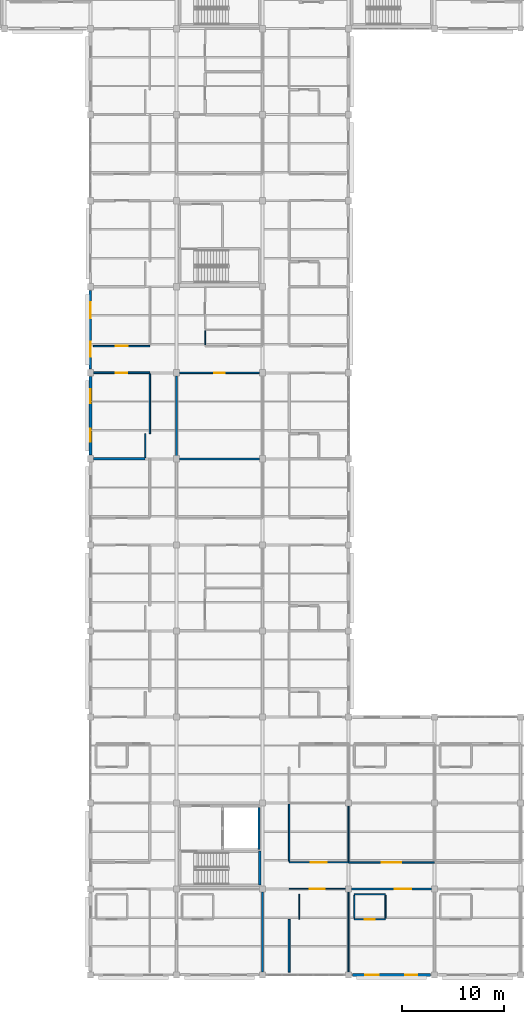
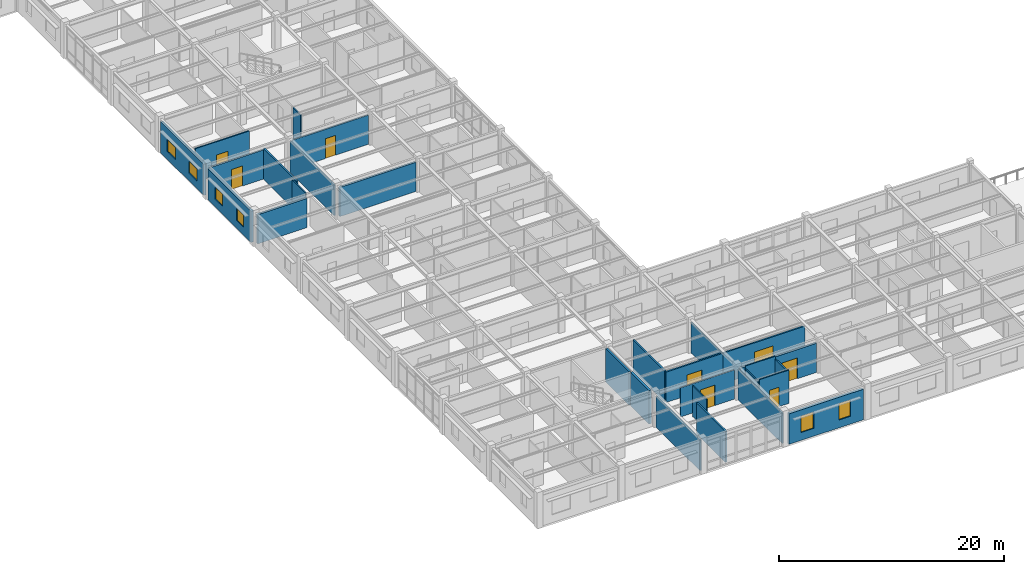
# One storey, part 45 of 70: 28 walls, 8 doors, 6 windows, 14 openings.
"""IFC4 building model written with IfcOpenShell, lengths in metres."""

from ifc_helpers import new_model, si_unit, direction, frame, frame_2d, origin, place, context, subcontext, project, spatial, rectangle, extrude, material, layer, layer_set, type_object, element, fill, save


model = new_model("IFC4")

# Units and contexts
model_context = context("Model", 3, precision=1e-05, world=origin(), true_north=direction((0.0, 1.0)))
body_context = subcontext(model_context, "Body", "Model", "MODEL_VIEW")
ifc_project = project(units=[si_unit("LENGTHUNIT", "METRE"), si_unit("AREAUNIT", "SQUARE_METRE"), si_unit("VOLUMEUNIT", "CUBIC_METRE"), si_unit("PLANEANGLEUNIT", "RADIAN"), si_unit("MASSUNIT", "GRAM", prefix="KILO")], contexts=[model_context])

# Site, building, storey
site_placement = place(None, origin())
site = spatial("IfcSite", under=ifc_project, at=site_placement, CompositionType="ELEMENT")
building_placement = place(site_placement, origin())
building = spatial("IfcBuilding", under=site, at=building_placement, Name="Bramfleet General Hospital", CompositionType="ELEMENT")
storey_placement = place(building_placement, frame((0.0, 0.0, 22.5)))
storey = spatial("IfcBuildingStorey", under=building, at=storey_placement, Name="L05", CompositionType="ELEMENT", Elevation=22.5)

# Wall, openings, windows
ifc_material_1 = material(Name="Precast concrete C40/50", Category="concrete")
ifc_layer_1 = layer(ifc_material_1, 0.264892578125, Name="WT-EW-07")
ifc_layer_set_1 = layer_set([ifc_layer_1], Name="Precast concrete C40/50")
wall_type_1 = type_object("IfcWallType", Name="WT-EW-07", PredefinedType="SOLIDWALL", material=ifc_layer_set_1)
wall_1_placement = place(storey_placement, frame((92.39990234375, 50.77490234375, 0.0), z_axis=(0.0, 0.0, 1.0), x_axis=(0.0, 1.0, 0.0)))
wall_1 = element("IfcWall", 1, at=wall_1_placement, inside=storey, type_object=wall_type_1, Name="L05 Exterior Wall 334", PredefinedType="SOLIDWALL", context=body_context, shape_type="SweptSolid", body=[
    extrude(rectangle(XDim=7.650146484375, YDim=0.264892578125, at=frame_2d((3.8251953125, 0.0))), origin(), (0.0, 0.0, 1.0), 3.3798828125),
])
opening_1_placement = place(wall_1_placement, frame((1.28759765625, 0.0, 0.85009765625)))
opening_1 = element("IfcOpeningElement", 2, at=opening_1_placement, cuts=wall_1, Name="Opening W-04", PredefinedType="OPENING", context=body_context, shape_type="SweptSolid", body=[
    extrude(rectangle(XDim=1.25, YDim=1.300048828125, at=frame_2d((0.625, 0.64990234375))), frame((0.0, 0.142333984375, 0.0), z_axis=(0.0, -1.0, 0.0), x_axis=(1.0, 0.0, 0.0)), (0.0, 0.0, 1.0), 0.284912109375),
])
opening_2_placement = place(wall_1_placement, frame((5.0625, 0.0, 0.85009765625)))
opening_2 = element("IfcOpeningElement", 3, at=opening_2_placement, cuts=wall_1, Name="Opening W-05", PredefinedType="OPENING", context=body_context, shape_type="SweptSolid", body=[
    extrude(rectangle(XDim=1.35009765625, YDim=1.300048828125, at=frame_2d((0.675048828125, 0.64990234375))), frame((0.0, 0.142333984375, 0.0), z_axis=(0.0, -1.0, 0.0), x_axis=(1.0, 0.0, 0.0)), (0.0, 0.0, 1.0), 0.284912109375),
])
ifc_material_2 = material(Name="Anodised aluminium and low-E triple glazing", Category="aluminium")
window_type_1 = type_object("IfcWindowType", Name="WIN-W-04", PartitioningType="SINGLE_PANEL", PredefinedType="WINDOW", material=ifc_material_2)
window_1_placement = place(opening_1_placement, origin())
window_1 = element("IfcWindow", 4, at=window_1_placement, inside=storey, type_object=window_type_1, Name="L05 Facade Window WIN-L05-334-1", OverallHeight=1.300048828125, OverallWidth=1.25, PartitioningType="SINGLE_PANEL", PredefinedType="WINDOW", context=body_context, shape_type="SweptSolid", body=[
    extrude(rectangle(XDim=1.25, YDim=1.300048828125, at=frame_2d((0.625, 0.64990234375))), frame((0.0, 0.030029296875, 0.0), z_axis=(0.0, -1.0, 0.0), x_axis=(1.0, 0.0, 0.0)), (0.0, 0.0, 1.0), 0.06005859375),
])
fill(opening_1, window_1)
window_type_2 = type_object("IfcWindowType", Name="WIN-W-05", PartitioningType="SINGLE_PANEL", PredefinedType="WINDOW", material=ifc_material_2)
window_2_placement = place(opening_2_placement, origin())
window_2 = element("IfcWindow", 5, at=window_2_placement, inside=storey, type_object=window_type_2, Name="L05 Facade Window WIN-L05-334-2", OverallHeight=1.300048828125, OverallWidth=1.35009765625, PartitioningType="SINGLE_PANEL", PredefinedType="WINDOW", context=body_context, shape_type="SweptSolid", body=[
    extrude(rectangle(XDim=1.35009765625, YDim=1.300048828125, at=frame_2d((0.675048828125, 0.64990234375))), frame((0.0, 0.030029296875, 0.0), z_axis=(0.0, -1.0, 0.0), x_axis=(1.0, 0.0, 0.0)), (0.0, 0.0, 1.0), 0.06005859375),
])
fill(opening_2, window_2)

wall_2_placement = place(storey_placement, frame((125.625, 0.0, 0.0), z_axis=(0.0, 0.0, 1.0), x_axis=(-1.0, 0.0, 0.0)))
wall_2 = element("IfcWall", 6, at=wall_2_placement, inside=storey, type_object=wall_type_1, Name="L05 Exterior Wall 376", PredefinedType="SOLIDWALL", context=body_context, shape_type="SweptSolid", body=[
    extrude(rectangle(XDim=7.64990234375, YDim=0.264892578125, at=frame_2d((3.824951171875, 0.0))), origin(), (0.0, 0.0, 1.0), 3.31005859375),
])
opening_3_placement = place(wall_2_placement, frame((1.33740234375, 0.0, 0.85009765625)))
opening_3 = element("IfcOpeningElement", 7, at=opening_3_placement, cuts=wall_2, Name="Opening W-41", PredefinedType="OPENING", context=body_context, shape_type="SweptSolid", body=[
    extrude(rectangle(XDim=1.14990234375, YDim=1.780029296875, at=frame_2d((0.574951171875, 0.89013671875))), frame((0.0, 0.142333984375, 0.0), z_axis=(0.0, -1.0, 0.0), x_axis=(1.0, 0.0, 0.0)), (0.0, 0.0, 1.0), 0.284912109375),
])
opening_4_placement = place(wall_2_placement, frame((5.08740234375, 0.0, 0.85009765625)))
opening_4 = element("IfcOpeningElement", 8, at=opening_4_placement, cuts=wall_2, Name="Opening W-42", PredefinedType="OPENING", context=body_context, shape_type="SweptSolid", body=[
    extrude(rectangle(XDim=1.300048828125, YDim=1.780029296875, at=frame_2d((0.64990234375, 0.89013671875))), frame((0.0, 0.142333984375, 0.0), z_axis=(0.0, -1.0, 0.0), x_axis=(1.0, 0.0, 0.0)), (0.0, 0.0, 1.0), 0.284912109375),
])
window_type_3 = type_object("IfcWindowType", Name="WIN-W-41", PartitioningType="SINGLE_PANEL", PredefinedType="WINDOW", material=ifc_material_2)
window_3_placement = place(opening_3_placement, origin())
window_3 = element("IfcWindow", 9, at=window_3_placement, inside=storey, type_object=window_type_3, Name="L05 Facade Window WIN-L05-376-1", OverallHeight=1.780029296875, OverallWidth=1.14990234375, PartitioningType="SINGLE_PANEL", PredefinedType="WINDOW", context=body_context, shape_type="SweptSolid", body=[
    extrude(rectangle(XDim=1.14990234375, YDim=1.780029296875, at=frame_2d((0.574951171875, 0.89013671875))), frame((0.0, 0.030029296875, 0.0), z_axis=(0.0, -1.0, 0.0), x_axis=(1.0, 0.0, 0.0)), (0.0, 0.0, 1.0), 0.06005859375),
])
fill(opening_3, window_3)
window_type_4 = type_object("IfcWindowType", Name="WIN-W-42", PartitioningType="SINGLE_PANEL", PredefinedType="WINDOW", material=ifc_material_2)
window_4_placement = place(opening_4_placement, origin())
window_4 = element("IfcWindow", 10, at=window_4_placement, inside=storey, type_object=window_type_4, Name="L05 Facade Window WIN-L05-376-2", OverallHeight=1.780029296875, OverallWidth=1.300048828125, PartitioningType="SINGLE_PANEL", PredefinedType="WINDOW", context=body_context, shape_type="SweptSolid", body=[
    extrude(rectangle(XDim=1.300048828125, YDim=1.780029296875, at=frame_2d((0.64990234375, 0.89013671875))), frame((0.0, 0.030029296875, 0.0), z_axis=(0.0, -1.0, 0.0), x_axis=(1.0, 0.0, 0.0)), (0.0, 0.0, 1.0), 0.06005859375),
])
fill(opening_4, window_4)

ifc_layer_2 = layer(ifc_material_1, 0.25, Name="WT-EW-08")
ifc_layer_set_2 = layer_set([ifc_layer_2], Name="Precast concrete C40/50")
wall_type_2 = type_object("IfcWallType", Name="WT-EW-08", PredefinedType="SOLIDWALL", material=ifc_layer_set_2)
wall_3_placement = place(storey_placement, frame((92.39990234375, 59.175048828125, 0.0), z_axis=(0.0, 0.0, 1.0), x_axis=(0.0, 1.0, 0.0)))
wall_3 = element("IfcWall", 11, at=wall_3_placement, inside=storey, type_object=wall_type_2, Name="L05 Exterior Wall 335", PredefinedType="SOLIDWALL", context=body_context, shape_type="SweptSolid", body=[
    extrude(rectangle(XDim=7.64990234375, YDim=0.25, at=frame_2d((3.824951171875, 0.0))), origin(), (0.0, 0.0, 1.0), 3.3798828125),
])
opening_5_placement = place(wall_3_placement, frame((1.1875, 0.0, 0.85009765625)))
opening_5 = element("IfcOpeningElement", 12, at=opening_5_placement, cuts=wall_3, Name="Opening W-06", PredefinedType="OPENING", context=body_context, shape_type="SweptSolid", body=[
    extrude(rectangle(XDim=1.449951171875, YDim=1.300048828125, at=frame_2d((0.72509765625, 0.64990234375))), frame((0.0, 0.135009765625, 0.0), z_axis=(0.0, -1.0, 0.0), x_axis=(1.0, 0.0, 0.0)), (0.0, 0.0, 1.0), 0.27001953125),
])
opening_6_placement = place(wall_3_placement, frame((4.96240234375, 0.0, 0.85009765625)))
opening_6 = element("IfcOpeningElement", 13, at=opening_6_placement, cuts=wall_3, Name="Opening W-07", PredefinedType="OPENING", context=body_context, shape_type="SweptSolid", body=[
    extrude(rectangle(XDim=1.550048828125, YDim=1.300048828125, at=frame_2d((0.77490234375, 0.64990234375))), frame((0.0, 0.135009765625, 0.0), z_axis=(0.0, -1.0, 0.0), x_axis=(1.0, 0.0, 0.0)), (0.0, 0.0, 1.0), 0.27001953125),
])
window_type_5 = type_object("IfcWindowType", Name="WIN-W-06", PartitioningType="SINGLE_PANEL", PredefinedType="WINDOW", material=ifc_material_2)
window_5_placement = place(opening_5_placement, origin())
window_5 = element("IfcWindow", 14, at=window_5_placement, inside=storey, type_object=window_type_5, Name="L05 Facade Window WIN-L05-335-1", OverallHeight=1.300048828125, OverallWidth=1.449951171875, PartitioningType="SINGLE_PANEL", PredefinedType="WINDOW", context=body_context, shape_type="SweptSolid", body=[
    extrude(rectangle(XDim=1.449951171875, YDim=1.300048828125, at=frame_2d((0.72509765625, 0.64990234375))), frame((0.0, 0.030029296875, 0.0), z_axis=(0.0, -1.0, 0.0), x_axis=(1.0, 0.0, 0.0)), (0.0, 0.0, 1.0), 0.06005859375),
])
fill(opening_5, window_5)
window_type_6 = type_object("IfcWindowType", Name="WIN-W-07", PartitioningType="SINGLE_PANEL", PredefinedType="WINDOW", material=ifc_material_2)
window_6_placement = place(opening_6_placement, origin())
window_6 = element("IfcWindow", 15, at=window_6_placement, inside=storey, type_object=window_type_6, Name="L05 Facade Window WIN-L05-335-2", OverallHeight=1.300048828125, OverallWidth=1.550048828125, PartitioningType="SINGLE_PANEL", PredefinedType="WINDOW", context=body_context, shape_type="SweptSolid", body=[
    extrude(rectangle(XDim=1.550048828125, YDim=1.300048828125, at=frame_2d((0.77490234375, 0.64990234375))), frame((0.0, 0.030029296875, 0.0), z_axis=(0.0, -1.0, 0.0), x_axis=(1.0, 0.0, 0.0)), (0.0, 0.0, 1.0), 0.06005859375),
])
fill(opening_6, window_6)

# Wall, opening, door
ifc_material_3 = material(Name="Concrete C35/45", Category="concrete")
ifc_layer_3 = layer(ifc_material_3, 0.219970703125, Name="WT-IW-01")
ifc_layer_set_3 = layer_set([ifc_layer_3], Name="Concrete C35/45")
wall_type_3 = type_object("IfcWallType", Name="WT-IW-01", PredefinedType="PARTITIONING", material=ifc_layer_set_3)
wall_4_placement = place(storey_placement, frame((117.89501953125, 8.39990234375, 0.0), z_axis=(0.0, 0.0, 1.0), x_axis=(1.0, 0.0, 0.0)))
wall_4 = element("IfcWall", 16, at=wall_4_placement, inside=storey, type_object=wall_type_3, Name="L05 Interior Partition IW-L05-3505", PredefinedType="PARTITIONING", context=body_context, shape_type="SweptSolid", body=[
    extrude(rectangle(XDim=7.81005859375, YDim=0.219970703125, at=frame_2d((3.905029296875, 0.0))), origin(), (0.0, 0.0, 1.0), 3.159912109375),
])
opening_7_placement = place(wall_4_placement, frame((4.240478515625, 0.0, 0.0)))
opening_7 = element("IfcOpeningElement", 17, at=opening_7_placement, cuts=wall_4, Name="Opening D1412", PredefinedType="OPENING", context=body_context, shape_type="SweptSolid", body=[
    extrude(rectangle(XDim=1.60009765625, YDim=2.25, at=frame_2d((0.800048828125, 1.125))), frame((0.0, 0.119873046875, 0.0), z_axis=(0.0, -1.0, 0.0), x_axis=(1.0, 0.0, 0.0)), (0.0, 0.0, 1.0), 0.239990234375),
])
ifc_material_4 = material(Name="Stainless steel and acoustic timber leaf", Category="steel")
door_type_1 = type_object("IfcDoorType", Name="DR-D-04", OperationType="NOTDEFINED", PredefinedType="DOOR", material=ifc_material_4)
door_1_placement = place(opening_7_placement, origin())
door_1 = element("IfcDoor", 18, at=door_1_placement, inside=storey, type_object=door_type_1, Name="Medical and Cardiology Ward Bedroom L05-1400 Door D1412", OperationType="DOUBLE_SWING_LEFT", OverallHeight=2.25, OverallWidth=1.60009765625, PredefinedType="DOOR", context=body_context, shape_type="SweptSolid", body=[
    extrude(rectangle(XDim=1.60009765625, YDim=2.25, at=frame_2d((0.800048828125, 1.125))), frame((0.0, 0.02490234375, 0.0), z_axis=(0.0, -1.0, 0.0), x_axis=(1.0, 0.0, 0.0)), (0.0, 0.0, 1.0), 0.050048828125),
])
fill(opening_7, door_1)

# Walls
wall_5_placement = place(storey_placement, frame((92.695068359375, 50.39990234375, 0.0), z_axis=(0.0, 0.0, 1.0), x_axis=(1.0, 0.0, 0.0)))
element("IfcWall", 19, at=wall_5_placement, inside=storey, type_object=wall_type_3, Name="L05 Interior Partition IW-L05-3553", PredefinedType="PARTITIONING", context=body_context, shape_type="SweptSolid", body=[
    extrude(rectangle(XDim=5.054931640625, YDim=0.219970703125, at=frame_2d((2.52734375, 0.0))), origin(), (0.0, 0.0, 1.0), 3.159912109375),
])
ifc_layer_4 = layer(ifc_material_3, 0.205078125, Name="WT-IW-02")
ifc_layer_set_4 = layer_set([ifc_layer_4], Name="Concrete C35/45")
wall_type_4 = type_object("IfcWallType", Name="WT-IW-02", PredefinedType="PARTITIONING", material=ifc_layer_set_4)
wall_6_placement = place(storey_placement, frame((108.85009765625, 12.239990234375, 0.0), z_axis=(0.0, 0.0, 1.0), x_axis=(0.0, 1.0, 0.0)))
element("IfcWall", 20, at=wall_6_placement, inside=storey, type_object=wall_type_4, Name="L05 C3 Lift Shaft East Wall", PredefinedType="PARTITIONING", context=body_context, shape_type="SweptSolid", body=[
    extrude(rectangle(XDim=4.1201171875, YDim=0.205078125, at=frame_2d((2.06005859375, 0.0))), origin(), (0.0, 0.0, 1.0), 3.610107421875),
])
wall_7_placement = place(storey_placement, frame((101.094970703125, 50.39990234375, 0.0), z_axis=(0.0, 0.0, 1.0), x_axis=(1.0, 0.0, 0.0)))
element("IfcWall", 21, at=wall_7_placement, inside=storey, type_object=wall_type_4, Name="L05 Interior Partition IW-L05-3554", PredefinedType="PARTITIONING", context=body_context, shape_type="SweptSolid", body=[
    extrude(rectangle(XDim=7.81005859375, YDim=0.205078125, at=frame_2d((3.905029296875, 0.0))), origin(), (0.0, 0.0, 1.0), 3.159912109375),
])
ifc_layer_5 = layer(ifc_material_3, 0.179931640625, Name="WT-IW-04")
ifc_layer_set_5 = layer_set([ifc_layer_5], Name="Concrete C35/45")
wall_type_5 = type_object("IfcWallType", Name="WT-IW-04", PredefinedType="PARTITIONING", material=ifc_layer_set_5)
wall_8_placement = place(storey_placement, frame((109.199951171875, 0.294921875, 0.0), z_axis=(0.0, 0.0, 1.0), x_axis=(0.0, 1.0, 0.0)))
element("IfcWall", 22, at=wall_8_placement, inside=storey, type_object=wall_type_5, Name="L05 Interior Partition IW-L05-3736", PredefinedType="PARTITIONING", context=body_context, shape_type="SweptSolid", body=[
    extrude(rectangle(XDim=7.81005859375, YDim=0.179931640625, at=frame_2d((3.905029296875, 0.0))), origin(), (0.0, 0.0, 1.0), 3.300048828125),
])
wall_9_placement = place(storey_placement, frame((111.800048828125, 0.280029296875, 0.0), z_axis=(0.0, 0.0, 1.0), x_axis=(0.0, 1.0, 0.0)))
element("IfcWall", 23, at=wall_9_placement, inside=storey, type_object=wall_type_5, Name="L05 Interior Partition IW-L05-3748", PredefinedType="PARTITIONING", context=body_context, shape_type="SweptSolid", body=[
    extrude(rectangle(XDim=5.14990234375, YDim=0.179931640625, at=frame_2d((2.574951171875, 0.0))), origin(), (0.0, 0.0, 1.0), 3.340087890625),
])
ifc_material_5 = material(Name="Gypsum plasterboard on acoustic steel studs", Category="steel")
ifc_layer_6 = layer(ifc_material_5, 0.169921875, Name="WT-IW-05")
ifc_layer_set_6 = layer_set([ifc_layer_6], Name="Gypsum plasterboard on acoustic steel studs")
wall_type_6 = type_object("IfcWallType", Name="WT-IW-05", PredefinedType="PARTITIONING", material=ifc_layer_set_6)
wall_10_placement = place(storey_placement, frame((100.800048828125, 50.695068359375, 0.0), z_axis=(0.0, 0.0, 1.0), x_axis=(0.0, 1.0, 0.0)))
element("IfcWall", 24, at=wall_10_placement, inside=storey, type_object=wall_type_6, Name="L05 Interior Partition IW-L05-3725", PredefinedType="PARTITIONING", context=body_context, shape_type="SweptSolid", body=[
    extrude(rectangle(XDim=7.809814453125, YDim=0.169921875, at=frame_2d((3.90478515625, 0.0))), origin(), (0.0, 0.0, 1.0), 3.300048828125),
])
wall_11_placement = place(storey_placement, frame((111.800048828125, 11.114990234375, 0.0), z_axis=(0.0, 0.0, 1.0), x_axis=(0.0, 1.0, 0.0)))
element("IfcWall", 25, at=wall_11_placement, inside=storey, type_object=wall_type_6, Name="L05 Interior Partition IW-L05-3749", PredefinedType="PARTITIONING", context=body_context, shape_type="SweptSolid", body=[
    extrude(rectangle(XDim=5.570068359375, YDim=0.169921875, at=frame_2d((2.78515625, 0.0))), origin(), (0.0, 0.0, 1.0), 3.340087890625),
])

# Wall, opening, door
ifc_layer_7 = layer(ifc_material_5, 0.159912109375, Name="WT-IW-06")
ifc_layer_set_7 = layer_set([ifc_layer_7], Name="Gypsum plasterboard on acoustic steel studs")
wall_type_7 = type_object("IfcWallType", Name="WT-IW-06", PredefinedType="PARTITIONING", material=ifc_layer_set_7)
wall_12_placement = place(storey_placement, frame((111.800048828125, 11.0, 0.0), z_axis=(0.0, 0.0, 1.0), x_axis=(1.0, 0.0, 0.0)))
wall_12 = element("IfcWall", 26, at=wall_12_placement, inside=storey, type_object=wall_type_7, Name="L05 Interior Partition IW-L05-3510", PredefinedType="PARTITIONING", context=body_context, shape_type="SweptSolid", body=[
    extrude(rectangle(XDim=5.800048828125, YDim=0.159912109375, at=frame_2d((2.89990234375, 0.0))), origin(), (0.0, 0.0, 1.0), 3.300048828125),
])
opening_8_placement = place(wall_12_placement, frame((2.1298828125, 0.0, 0.0)))
opening_8 = element("IfcOpeningElement", 27, at=opening_8_placement, cuts=wall_12, Name="Opening D1393", PredefinedType="OPENING", context=body_context, shape_type="SweptSolid", body=[
    extrude(rectangle(XDim=1.5400390625, YDim=2.239990234375, at=frame_2d((0.77001953125, 1.1201171875))), frame((0.0, 0.08984375, 0.0), z_axis=(0.0, -1.0, 0.0), x_axis=(1.0, 0.0, 0.0)), (0.0, 0.0, 1.0), 0.179931640625),
])
door_type_2 = type_object("IfcDoorType", Name="DR-D-17", OperationType="NOTDEFINED", PredefinedType="DOOR", material=ifc_material_4)
door_2_placement = place(opening_8_placement, origin())
door_2 = element("IfcDoor", 28, at=door_2_placement, inside=storey, type_object=door_type_2, Name="Patient Dayroom and Garden Lounge L05-1301 Door D1393", OperationType="SINGLE_SWING_RIGHT", OverallHeight=2.239990234375, OverallWidth=1.5400390625, PredefinedType="DOOR", context=body_context, shape_type="SweptSolid", body=[
    extrude(rectangle(XDim=1.5400390625, YDim=2.239990234375, at=frame_2d((0.77001953125, 1.1201171875))), frame((0.0, 0.02490234375, 0.0), z_axis=(0.0, -1.0, 0.0), x_axis=(1.0, 0.0, 0.0)), (0.0, 0.0, 1.0), 0.050048828125),
])
fill(opening_8, door_2)

wall_13_placement = place(storey_placement, frame((92.695068359375, 58.800048828125, 0.0), z_axis=(0.0, 0.0, 1.0), x_axis=(1.0, 0.0, 0.0)))
wall_13 = element("IfcWall", 29, at=wall_13_placement, inside=storey, type_object=wall_type_7, Name="L05 Interior Partition IW-L05-3558", PredefinedType="PARTITIONING", context=body_context, shape_type="SweptSolid", body=[
    extrude(rectangle(XDim=5.5048828125, YDim=0.159912109375, at=frame_2d((2.75244140625, 0.0))), origin(), (0.0, 0.0, 1.0), 3.159912109375),
])
opening_9_placement = place(wall_13_placement, frame((2.1923828125, 0.0, 0.0)))
opening_9 = element("IfcOpeningElement", 30, at=opening_9_placement, cuts=wall_13, Name="Opening D1371", PredefinedType="OPENING", context=body_context, shape_type="SweptSolid", body=[
    extrude(rectangle(XDim=1.1201171875, YDim=2.179931640625, at=frame_2d((0.56005859375, 1.08984375))), frame((0.0, 0.08984375, 0.0), z_axis=(0.0, -1.0, 0.0), x_axis=(1.0, 0.0, 0.0)), (0.0, 0.0, 1.0), 0.179931640625),
])
door_type_3 = type_object("IfcDoorType", Name="DR-D-27", OperationType="NOTDEFINED", PredefinedType="DOOR", material=ifc_material_4)
door_3_placement = place(opening_9_placement, origin())
door_3 = element("IfcDoor", 31, at=door_3_placement, inside=storey, type_object=door_type_3, Name="Medical and Cardiology Ward Bedroom L05-1106 Door D1371", OperationType="SINGLE_SWING_RIGHT", OverallHeight=2.179931640625, OverallWidth=1.1201171875, PredefinedType="DOOR", context=body_context, shape_type="SweptSolid", body=[
    extrude(rectangle(XDim=1.1201171875, YDim=2.179931640625, at=frame_2d((0.56005859375, 1.08984375))), frame((0.0, 0.02490234375, 0.0), z_axis=(0.0, -1.0, 0.0), x_axis=(1.0, 0.0, 0.0)), (0.0, 0.0, 1.0), 0.050048828125),
])
fill(opening_9, door_3)

# Wall
wall_14_placement = place(storey_placement, frame((98.199951171875, 52.85009765625, 0.0), z_axis=(0.0, 0.0, 1.0), x_axis=(0.0, 1.0, 0.0)))
element("IfcWall", 32, at=wall_14_placement, inside=storey, type_object=wall_type_7, Name="L05 Interior Partition IW-L05-3714", PredefinedType="PARTITIONING", context=body_context, shape_type="SweptSolid", body=[
    extrude(rectangle(XDim=5.8349609375, YDim=0.159912109375, at=frame_2d((2.91748046875, 0.0))), origin(), (0.0, 0.0, 1.0), 3.340087890625),
])

# Wall, opening, door
ifc_layer_8 = layer(ifc_material_5, 0.14990234375, Name="WT-IW-07")
ifc_layer_set_8 = layer_set([ifc_layer_8], Name="Gypsum plasterboard on acoustic steel studs")
wall_type_8 = type_object("IfcWallType", Name="WT-IW-07", PredefinedType="PARTITIONING", material=ifc_layer_set_8)
wall_15_placement = place(storey_placement, frame((117.60009765625, 11.0, 0.0), z_axis=(0.0, 0.0, 1.0), x_axis=(1.0, 0.0, 0.0)))
wall_15 = element("IfcWall", 33, at=wall_15_placement, inside=storey, type_object=wall_type_8, Name="L05 Interior Partition IW-L05-3511", PredefinedType="PARTITIONING", context=body_context, shape_type="SweptSolid", body=[
    extrude(rectangle(XDim=8.39990234375, YDim=0.14990234375, at=frame_2d((4.199951171875, 0.0))), origin(), (0.0, 0.0, 1.0), 3.300048828125),
])
opening_10_placement = place(wall_15_placement, frame((3.25, 0.0, 0.0)))
opening_10 = element("IfcOpeningElement", 34, at=opening_10_placement, cuts=wall_15, Name="Opening D1414", PredefinedType="OPENING", context=body_context, shape_type="SweptSolid", body=[
    extrude(rectangle(XDim=1.89990234375, YDim=2.300048828125, at=frame_2d((0.949951171875, 1.14990234375))), frame((0.0, 0.0849609375, 0.0), z_axis=(0.0, -1.0, 0.0), x_axis=(1.0, 0.0, 0.0)), (0.0, 0.0, 1.0), 0.169921875),
])
door_type_4 = type_object("IfcDoorType", Name="DR-D-06", OperationType="NOTDEFINED", PredefinedType="DOOR", material=ifc_material_4)
door_4_placement = place(opening_10_placement, origin())
door_4 = element("IfcDoor", 35, at=door_4_placement, inside=storey, type_object=door_type_4, Name="Ward Linen and Clean Utility L05-1401 Door D1414", OperationType="DOUBLE_SWING_LEFT", OverallHeight=2.300048828125, OverallWidth=1.89990234375, PredefinedType="DOOR", context=body_context, shape_type="SweptSolid", body=[
    extrude(rectangle(XDim=1.89990234375, YDim=2.300048828125, at=frame_2d((0.949951171875, 1.14990234375))), frame((0.0, 0.02490234375, 0.0), z_axis=(0.0, -1.0, 0.0), x_axis=(1.0, 0.0, 0.0)), (0.0, 0.0, 1.0), 0.050048828125),
])
fill(opening_10, door_4)

wall_16_placement = place(storey_placement, frame((101.094970703125, 58.800048828125, 0.0), z_axis=(0.0, 0.0, 1.0), x_axis=(1.0, 0.0, 0.0)))
wall_16 = element("IfcWall", 36, at=wall_16_placement, inside=storey, type_object=wall_type_8, Name="L05 Interior Partition IW-L05-3559", PredefinedType="PARTITIONING", context=body_context, shape_type="SweptSolid", body=[
    extrude(rectangle(XDim=7.81005859375, YDim=0.14990234375, at=frame_2d((3.905029296875, 0.0))), origin(), (0.0, 0.0, 1.0), 3.159912109375),
])
opening_11_placement = place(wall_16_placement, frame((3.3798828125, 0.0, 0.0)))
opening_11 = element("IfcOpeningElement", 37, at=opening_11_placement, cuts=wall_16, Name="Opening D1385", PredefinedType="OPENING", context=body_context, shape_type="SweptSolid", body=[
    extrude(rectangle(XDim=1.050048828125, YDim=2.14990234375, at=frame_2d((0.52490234375, 1.074951171875))), frame((0.0, 0.0849609375, 0.0), z_axis=(0.0, -1.0, 0.0), x_axis=(1.0, 0.0, 0.0)), (0.0, 0.0, 1.0), 0.169921875),
])
door_type_5 = type_object("IfcDoorType", Name="DR-D-09", OperationType="NOTDEFINED", PredefinedType="DOOR", material=ifc_material_4)
door_5_placement = place(opening_11_placement, origin())
door_5 = element("IfcDoor", 38, at=door_5_placement, inside=storey, type_object=door_type_5, Name="Medical and Cardiology Ward Nurse Station L05-1206 Door D1385", OperationType="SINGLE_SWING_RIGHT", OverallHeight=2.14990234375, OverallWidth=1.050048828125, PredefinedType="DOOR", context=body_context, shape_type="SweptSolid", body=[
    extrude(rectangle(XDim=1.050048828125, YDim=2.14990234375, at=frame_2d((0.52490234375, 1.074951171875))), frame((0.0, 0.02490234375, 0.0), z_axis=(0.0, -1.0, 0.0), x_axis=(1.0, 0.0, 0.0)), (0.0, 0.0, 1.0), 0.050048828125),
])
fill(opening_11, door_5)

ifc_layer_9 = layer(ifc_material_5, 0.1298828125, Name="WT-IW-09")
ifc_layer_set_9 = layer_set([ifc_layer_9], Name="Gypsum plasterboard on acoustic steel studs")
wall_type_9 = type_object("IfcWallType", Name="WT-IW-09", PredefinedType="PARTITIONING", material=ifc_layer_set_9)
wall_17_placement = place(storey_placement, frame((92.679931640625, 61.39990234375, 0.0), z_axis=(0.0, 0.0, 1.0), x_axis=(1.0, 0.0, 0.0)))
wall_17 = element("IfcWall", 39, at=wall_17_placement, inside=storey, type_object=wall_type_9, Name="L05 Interior Partition IW-L05-3561", PredefinedType="PARTITIONING", context=body_context, shape_type="SweptSolid", body=[
    extrude(rectangle(XDim=5.52001953125, YDim=0.1298828125, at=frame_2d((2.760009765625, 0.0))), origin(), (0.0, 0.0, 1.0), 3.610107421875),
])
opening_12_placement = place(wall_17_placement, frame((2.169921875, 0.0, 0.0)))
opening_12 = element("IfcOpeningElement", 40, at=opening_12_placement, cuts=wall_17, Name="Opening D1372", PredefinedType="OPENING", context=body_context, shape_type="SweptSolid", body=[
    extrude(rectangle(XDim=1.179931640625, YDim=2.179931640625, at=frame_2d((0.58984375, 1.08984375))), frame((0.0, 0.074951171875, 0.0), z_axis=(0.0, -1.0, 0.0), x_axis=(1.0, 0.0, 0.0)), (0.0, 0.0, 1.0), 0.14990234375),
])
door_type_6 = type_object("IfcDoorType", Name="DR-D-28", OperationType="NOTDEFINED", PredefinedType="DOOR", material=ifc_material_4)
door_6_placement = place(opening_12_placement, origin())
door_6 = element("IfcDoor", 41, at=door_6_placement, inside=storey, type_object=door_type_6, Name="Medical and Cardiology Ward Bedroom L05-1107 Door D1372", OperationType="SINGLE_SWING_LEFT", OverallHeight=2.179931640625, OverallWidth=1.179931640625, PredefinedType="DOOR", context=body_context, shape_type="SweptSolid", body=[
    extrude(rectangle(XDim=1.179931640625, YDim=2.179931640625, at=frame_2d((0.58984375, 1.08984375))), frame((0.0, 0.02490234375, 0.0), z_axis=(0.0, -1.0, 0.0), x_axis=(1.0, 0.0, 0.0)), (0.0, 0.0, 1.0), 0.050048828125),
])
fill(opening_12, door_6)

# Walls
wall_18_placement = place(storey_placement, frame((97.75, 50.514892578125, 0.0), z_axis=(0.0, 0.0, 1.0), x_axis=(0.0, 1.0, 0.0)))
element("IfcWall", 42, at=wall_18_placement, inside=storey, type_object=wall_type_9, Name="L05 Interior Partition IW-L05-3705", PredefinedType="PARTITIONING", context=body_context, shape_type="SweptSolid", body=[
    extrude(rectangle(XDim=2.335205078125, YDim=0.1298828125, at=frame_2d((1.16748046875, 0.0))), origin(), (0.0, 0.0, 1.0), 3.610107421875),
])
wall_19_placement = place(storey_placement, frame((117.60009765625, 0.294921875, 0.0), z_axis=(0.0, 0.0, 1.0), x_axis=(0.0, 1.0, 0.0)))
element("IfcWall", 43, at=wall_19_placement, inside=storey, type_object=wall_type_9, Name="L05 Interior Partition IW-L05-3777", PredefinedType="PARTITIONING", context=body_context, shape_type="SweptSolid", body=[
    extrude(rectangle(XDim=7.81005859375, YDim=0.1298828125, at=frame_2d((3.905029296875, 0.0))), origin(), (0.0, 0.0, 1.0), 3.300048828125),
])

# Wall, opening, door
ifc_layer_10 = layer(ifc_material_5, 0.1201171875, Name="WT-IW-10")
ifc_layer_set_10 = layer_set([ifc_layer_10], Name="Gypsum plasterboard on acoustic steel studs")
wall_type_10 = type_object("IfcWallType", Name="WT-IW-10", PredefinedType="PARTITIONING", material=ifc_layer_set_10)
wall_20_placement = place(storey_placement, frame((118.14990234375, 5.429931640625, 0.0), z_axis=(0.0, 0.0, 1.0), x_axis=(1.0, 0.0, 0.0)))
wall_20 = element("IfcWall", 44, at=wall_20_placement, inside=storey, type_object=wall_type_10, Name="L05 Interior Partition IW-L05-3496", PredefinedType="PARTITIONING", context=body_context, shape_type="SweptSolid", body=[
    extrude(rectangle(XDim=3.050048828125, YDim=0.1201171875, at=frame_2d((1.52490234375, 0.0))), origin(), (0.0, 0.0, 1.0), 3.610107421875),
])
opening_13_placement = place(wall_20_placement, frame((1.050048828125, 0.0, 0.0)))
opening_13 = element("IfcOpeningElement", 45, at=opening_13_placement, cuts=wall_20, Name="Opening D1413", PredefinedType="OPENING", context=body_context, shape_type="SweptSolid", body=[
    extrude(rectangle(XDim=0.949951171875, YDim=2.10009765625, at=frame_2d((0.47509765625, 1.050048828125))), frame((0.0, 0.070068359375, 0.0), z_axis=(0.0, -1.0, 0.0), x_axis=(1.0, 0.0, 0.0)), (0.0, 0.0, 1.0), 0.14013671875),
])
door_type_7 = type_object("IfcDoorType", Name="DR-D-10", OperationType="NOTDEFINED", PredefinedType="DOOR", material=ifc_material_4)
door_7_placement = place(opening_13_placement, origin())
door_7 = element("IfcDoor", 46, at=door_7_placement, inside=storey, type_object=door_type_7, Name="En-Suite Bathroom L05-1400 Door D1413", OperationType="SINGLE_SWING_LEFT", OverallHeight=2.10009765625, OverallWidth=0.949951171875, PredefinedType="DOOR", context=body_context, shape_type="SweptSolid", body=[
    extrude(rectangle(XDim=0.949951171875, YDim=2.10009765625, at=frame_2d((0.47509765625, 1.050048828125))), frame((0.0, 0.02490234375, 0.0), z_axis=(0.0, -1.0, 0.0), x_axis=(1.0, 0.0, 0.0)), (0.0, 0.0, 1.0), 0.050048828125),
])
fill(opening_13, door_7)

# Walls
wall_21_placement = place(storey_placement, frame((118.14990234375, 7.8798828125, 0.0), z_axis=(0.0, 0.0, 1.0), x_axis=(1.0, 0.0, 0.0)))
element("IfcWall", 47, at=wall_21_placement, inside=storey, type_object=wall_type_10, Name="L05 Interior Partition IW-L05-3500", PredefinedType="PARTITIONING", context=body_context, shape_type="SweptSolid", body=[
    extrude(rectangle(XDim=3.050048828125, YDim=0.1201171875, at=frame_2d((1.52490234375, 0.0))), origin(), (0.0, 0.0, 1.0), 3.610107421875),
])
wall_22_placement = place(storey_placement, frame((117.60009765625, 11.114990234375, 0.0), z_axis=(0.0, 0.0, 1.0), x_axis=(0.0, 1.0, 0.0)))
element("IfcWall", 48, at=wall_22_placement, inside=storey, type_object=wall_type_10, Name="L05 Interior Partition IW-L05-3778", PredefinedType="PARTITIONING", context=body_context, shape_type="SweptSolid", body=[
    extrude(rectangle(XDim=5.389892578125, YDim=0.1201171875, at=frame_2d((2.69482421875, 0.0))), origin(), (0.0, 0.0, 1.0), 3.300048828125),
])
for number, where, z_axis, x_axis, name in (
    (49, (118.14990234375, 5.544921875, 0.0), (0.0, 0.0, 1.0), (0.0, 1.0, 0.0), "L05 Interior Partition IW-L05-3784"),
    (50, (121.199951171875, 5.544921875, 0.0), (0.0, 0.0, 1.0), (0.0, 1.0, 0.0), "L05 Interior Partition IW-L05-3786"),
):
    element("IfcWall", number, at=place(storey_placement, frame(where, z_axis=z_axis, x_axis=x_axis)), inside=storey, type_object=wall_type_10, Name=name, PredefinedType="PARTITIONING", context=body_context, shape_type="SweptSolid", body=[
        extrude(rectangle(XDim=2.219970703125, YDim=0.1201171875, at=frame_2d((1.10986328125, 0.0))), origin(), (0.0, 0.0, 1.0), 3.340087890625),
    ])
ifc_layer_11 = layer(ifc_material_5, 0.112060546875, Name="WT-IW-11")
ifc_layer_set_11 = layer_set([ifc_layer_11], Name="Gypsum plasterboard on acoustic steel studs")
wall_type_11 = type_object("IfcWallType", Name="WT-IW-11", PredefinedType="PARTITIONING", material=ifc_layer_set_11)
wall_23_placement = place(storey_placement, frame((103.60009765625, 61.514892578125, 0.0), z_axis=(0.0, 0.0, 1.0), x_axis=(0.0, 1.0, 0.0)))
element("IfcWall", 51, at=wall_23_placement, inside=storey, type_object=wall_type_11, Name="L05 Interior Partition IW-L05-3731", PredefinedType="PARTITIONING", context=body_context, shape_type="SweptSolid", body=[
    extrude(rectangle(XDim=1.3701171875, YDim=0.112060546875, at=frame_2d((0.68505859375, 0.0))), origin(), (0.0, 0.0, 1.0), 3.340087890625),
])
wall_24_placement = place(storey_placement, frame((112.800048828125, 5.429931640625, 0.0), z_axis=(0.0, 0.0, 1.0), x_axis=(0.0, 1.0, 0.0)))
element("IfcWall", 52, at=wall_24_placement, inside=storey, type_object=wall_type_11, Name="L05 Interior Partition IW-L05-3767", PredefinedType="PARTITIONING", context=body_context, shape_type="SweptSolid", body=[
    extrude(rectangle(XDim=2.449951171875, YDim=0.112060546875, at=frame_2d((1.22509765625, 0.0))), origin(), (0.0, 0.0, 1.0), 3.340087890625),
])

# Wall, opening, door
ifc_layer_12 = layer(ifc_material_5, 0.10009765625, Name="WT-IW-12")
ifc_layer_set_12 = layer_set([ifc_layer_12], Name="Gypsum plasterboard on acoustic steel studs")
wall_type_12 = type_object("IfcWallType", Name="WT-IW-12", PredefinedType="PARTITIONING", material=ifc_layer_set_12)
wall_25_placement = place(storey_placement, frame((111.800048828125, 8.39990234375, 0.0), z_axis=(0.0, 0.0, 1.0), x_axis=(1.0, 0.0, 0.0)))
wall_25 = element("IfcWall", 53, at=wall_25_placement, inside=storey, type_object=wall_type_12, Name="L05 Interior Partition IW-L05-3504", PredefinedType="PARTITIONING", context=body_context, shape_type="SweptSolid", body=[
    extrude(rectangle(XDim=5.5048828125, YDim=0.10009765625, at=frame_2d((2.75244140625, 0.0))), origin(), (0.0, 0.0, 1.0), 3.159912109375),
])
opening_14_placement = place(wall_25_placement, frame((2.012451171875, 0.0, 0.0)))
opening_14 = element("IfcOpeningElement", 54, at=opening_14_placement, cuts=wall_25, Name="Opening D1392", PredefinedType="OPENING", context=body_context, shape_type="SweptSolid", body=[
    extrude(rectangle(XDim=1.47998046875, YDim=2.219970703125, at=frame_2d((0.739990234375, 1.10986328125))), frame((0.0, 0.06005859375, 0.0), z_axis=(0.0, -1.0, 0.0), x_axis=(1.0, 0.0, 0.0)), (0.0, 0.0, 1.0), 0.1201171875),
])
door_type_8 = type_object("IfcDoorType", Name="DR-D-16", OperationType="NOTDEFINED", PredefinedType="DOOR", material=ifc_material_4)
door_8_placement = place(opening_14_placement, origin())
door_8 = element("IfcDoor", 55, at=door_8_placement, inside=storey, type_object=door_type_8, Name="Medical and Cardiology Ward Bedroom L05-1300 Door D1392", OperationType="SINGLE_SWING_LEFT", OverallHeight=2.219970703125, OverallWidth=1.47998046875, PredefinedType="DOOR", context=body_context, shape_type="SweptSolid", body=[
    extrude(rectangle(XDim=1.47998046875, YDim=2.219970703125, at=frame_2d((0.739990234375, 1.10986328125))), frame((0.0, 0.02490234375, 0.0), z_axis=(0.0, -1.0, 0.0), x_axis=(1.0, 0.0, 0.0)), (0.0, 0.0, 1.0), 0.050048828125),
])
fill(opening_14, door_8)

# Wall
ifc_material_6 = material(Name="Concrete C40/50", Category="concrete")
ifc_layer_13 = layer(ifc_material_6, 0.239990234375, Name="WT-SW-240")
ifc_layer_set_13 = layer_set([ifc_layer_13], Name="Concrete C40/50")
wall_type_13 = type_object("IfcWallType", Name="WT-SW-240", PredefinedType="SHEAR", material=ifc_layer_set_13)
wall_26_placement = place(storey_placement, frame((108.919921875, 8.780029296875, 0.0), z_axis=(0.0, 0.0, 1.0), x_axis=(0.0, 1.0, 0.0)))
element("IfcWall", 56, at=wall_26_placement, inside=storey, type_object=wall_type_13, Name="L05 C3 East Stair Shear Wall", PredefinedType="SHEAR", context=body_context, shape_type="SweptSolid", body=[
    extrude(rectangle(XDim=3.320068359375, YDim=0.239990234375, at=frame_2d((1.66015625, 0.0))), origin(), (0.0, 0.0, 1.0), 3.6201171875),
])

save(model, "model.ifc")
